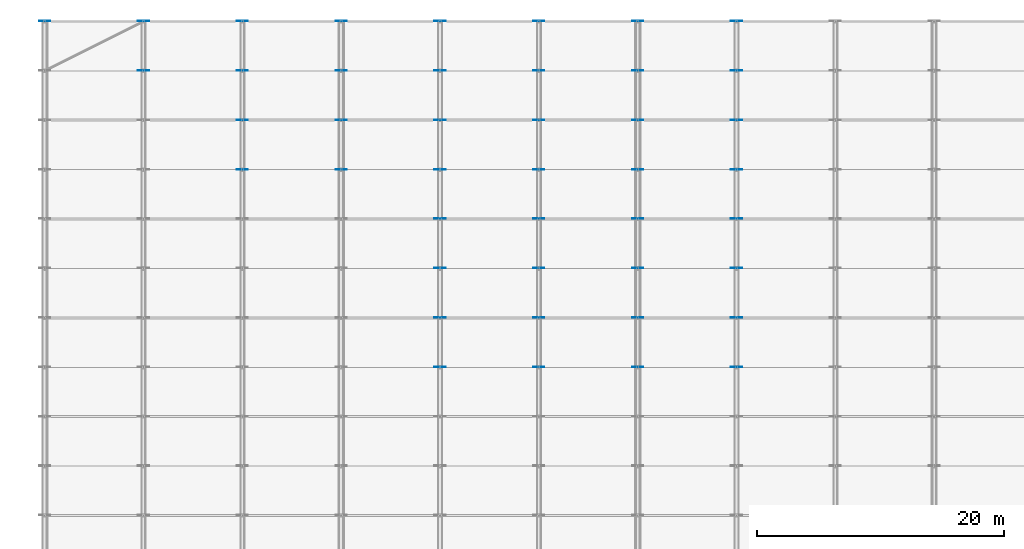
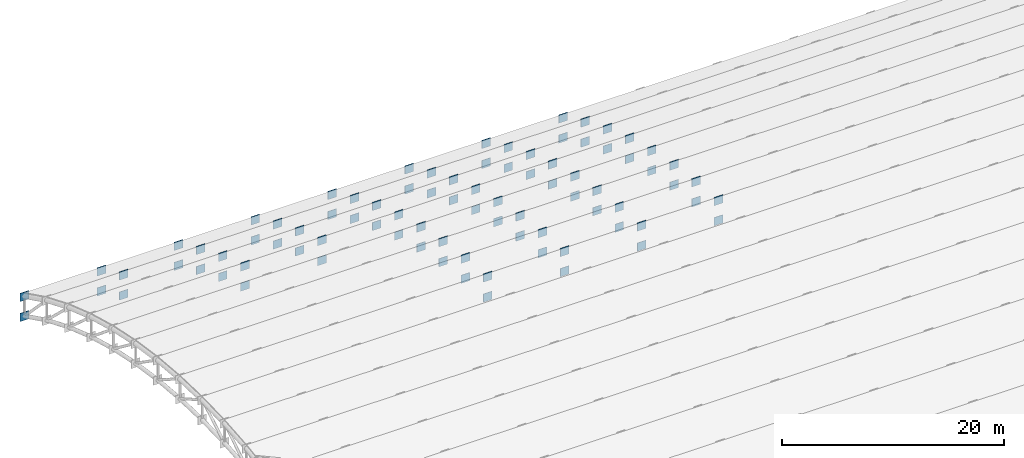
# One storey, part 62 of 98: 86 plates.
"""IFC4 building model written with IfcOpenShell, lengths in metres."""

from ifc_helpers import new_model, si_unit, direction, frame, origin, origin_2d, place, context, subcontext, project, spatial, rectangle, extrude, material, layer, layer_set, type_object, element, save


model = new_model("IFC4")

# Units and contexts
model_context = context("Model", 3, precision=1e-05, world=origin(), true_north=direction((0.0, 1.0)))
body_context = subcontext(model_context, "Body", "Model", "MODEL_VIEW")
ifc_project = project(units=[si_unit("LENGTHUNIT", "METRE"), si_unit("AREAUNIT", "SQUARE_METRE"), si_unit("VOLUMEUNIT", "CUBIC_METRE"), si_unit("PLANEANGLEUNIT", "RADIAN"), si_unit("MASSUNIT", "GRAM", prefix="KILO")], contexts=[model_context])

# Site, building, storey
site_placement = place(None, origin())
site = spatial("IfcSite", under=ifc_project, at=site_placement, CompositionType="ELEMENT")
building_placement = place(site_placement, origin())
building = spatial("IfcBuilding", under=site, at=building_placement, Name="Tlacozan Convention Centre", CompositionType="ELEMENT")
storey_placement = place(building_placement, frame((0.0, 0.0, 25.800048828125)))
storey = spatial("IfcBuildingStorey", under=building, at=storey_placement, Name="Roof", CompositionType="ELEMENT", Elevation=25.800048828125)

# Plates
ifc_material = material(Name="Steel ASTM A572 Grade 50", Category="steel")
ifc_layer = layer(ifc_material, 0.044921875)
ifc_layer_set = layer_set([ifc_layer], Name="Steel ASTM A572 Grade 50")
plate_type = type_object("IfcPlateType", Name="Arch Springing Node Gusset Plate", PredefinedType="SHEET", material=ifc_layer_set)
for number, where, z_axis, x_axis, name in (
    (1, (0.0, 126.023681640625, -11.061767578125), (0.0, 0.0, 1.0), (0.0, 1.0, 0.0), "Roof Gusset Cap Plate 33"),
    (2, (0.0, 126.023681640625, -13.26171875), (0.0, 0.0, 1.0), (0.0, 1.0, 0.0), "Roof Gusset Cap Plate 34"),
    (3, (8.0, 122.0244140625, -9.09228515625), (0.0, 0.0, 1.0), (0.0, 1.0, 0.0), "Roof Gusset Cap Plate 65"),
    (4, (8.0, 122.0244140625, -11.29248046875), (0.0, 0.0, 1.0), (0.0, 1.0, 0.0), "Roof Gusset Cap Plate 66"),
    (5, (8.0, 126.023681640625, -11.061767578125), (0.0, 0.0, 1.0), (0.0, 1.0, 0.0), "Roof Gusset Cap Plate 67"),
    (6, (8.0, 126.023681640625, -13.26171875), (0.0, 0.0, 1.0), (0.0, 1.0, 0.0), "Roof Gusset Cap Plate 68"),
    (7, (16.0, 114.025634765625, -6.064697265625), (0.0, 0.0, 1.0), (0.0, 1.0, 0.0), "Roof Gusset Cap Plate 95"),
    (8, (16.0, 114.025634765625, -8.2646484375), (0.0, 0.0, 1.0), (0.0, 1.0, 0.0), "Roof Gusset Cap Plate 96"),
    (9, (16.0, 118.025146484375, -7.434814453125), (0.0, 0.0, 1.0), (0.0, 1.0, 0.0), "Roof Gusset Cap Plate 97"),
    (10, (16.0, 118.025146484375, -9.634765625), (0.0, 0.0, 1.0), (0.0, 1.0, 0.0), "Roof Gusset Cap Plate 98"),
    (11, (16.0, 122.0244140625, -9.09228515625), (0.0, 0.0, 1.0), (0.0, 1.0, 0.0), "Roof Gusset Cap Plate 99"),
    (12, (16.0, 122.0244140625, -11.29248046875), (0.0, 0.0, 1.0), (0.0, 1.0, 0.0), "Roof Gusset Cap Plate 100"),
    (13, (16.0, 126.023681640625, -11.061767578125), (0.0, 0.0, 1.0), (0.0, 1.0, 0.0), "Roof Gusset Cap Plate 101"),
    (14, (16.0, 126.023681640625, -13.26171875), (0.0, 0.0, 1.0), (0.0, 1.0, 0.0), "Roof Gusset Cap Plate 102"),
    (15, (24.0, 114.025634765625, -6.064697265625), (0.0, 0.0, 1.0), (0.0, 1.0, 0.0), "Roof Gusset Cap Plate 129"),
    (16, (24.0, 114.025634765625, -8.2646484375), (0.0, 0.0, 1.0), (0.0, 1.0, 0.0), "Roof Gusset Cap Plate 130"),
    (17, (24.0, 118.025146484375, -7.434814453125), (0.0, 0.0, 1.0), (0.0, 1.0, 0.0), "Roof Gusset Cap Plate 131"),
    (18, (24.0, 118.025146484375, -9.634765625), (0.0, 0.0, 1.0), (0.0, 1.0, 0.0), "Roof Gusset Cap Plate 132"),
    (19, (24.0, 122.0244140625, -9.09228515625), (0.0, 0.0, 1.0), (0.0, 1.0, 0.0), "Roof Gusset Cap Plate 133"),
    (20, (24.0, 122.0244140625, -11.29248046875), (0.0, 0.0, 1.0), (0.0, 1.0, 0.0), "Roof Gusset Cap Plate 134"),
    (21, (24.0, 126.023681640625, -11.061767578125), (0.0, 0.0, 1.0), (0.0, 1.0, 0.0), "Roof Gusset Cap Plate 135"),
    (22, (24.0, 126.023681640625, -13.26171875), (0.0, 0.0, 1.0), (0.0, 1.0, 0.0), "Roof Gusset Cap Plate 136"),
    (23, (32.0, 98.026611328125, -3.16845703125), (0.0, 0.0, 1.0), (0.0, 1.0, 0.0), "Roof Gusset Cap Plate 155"),
    (24, (32.0, 98.026611328125, -5.368408203125), (0.0, 0.0, 1.0), (0.0, 1.0, 0.0), "Roof Gusset Cap Plate 156"),
    (25, (32.0, 102.0263671875, -3.5244140625), (0.0, 0.0, 1.0), (0.0, 1.0, 0.0), "Roof Gusset Cap Plate 157"),
    (26, (32.0, 102.0263671875, -5.724609375), (0.0, 0.0, 1.0), (0.0, 1.0, 0.0), "Roof Gusset Cap Plate 158"),
    (27, (32.0, 106.026123046875, -4.12109375), (0.0, 0.0, 1.0), (0.0, 1.0, 0.0), "Roof Gusset Cap Plate 159"),
    (28, (32.0, 106.026123046875, -6.321044921875), (0.0, 0.0, 1.0), (0.0, 1.0, 0.0), "Roof Gusset Cap Plate 160"),
    (29, (32.0, 110.02587890625, -4.964599609375), (0.0, 0.0, 1.0), (0.0, 1.0, 0.0), "Roof Gusset Cap Plate 161"),
    (30, (32.0, 110.02587890625, -7.164794921875), (0.0, 0.0, 1.0), (0.0, 1.0, 0.0), "Roof Gusset Cap Plate 162"),
    (31, (32.0, 114.025634765625, -6.064697265625), (0.0, 0.0, 1.0), (0.0, 1.0, 0.0), "Roof Gusset Cap Plate 163"),
    (32, (32.0, 114.025634765625, -8.2646484375), (0.0, 0.0, 1.0), (0.0, 1.0, 0.0), "Roof Gusset Cap Plate 164"),
    (33, (32.0, 118.025146484375, -7.434814453125), (0.0, 0.0, 1.0), (0.0, 1.0, 0.0), "Roof Gusset Cap Plate 165"),
    (34, (32.0, 118.025146484375, -9.634765625), (0.0, 0.0, 1.0), (0.0, 1.0, 0.0), "Roof Gusset Cap Plate 166"),
    (35, (32.0, 122.0244140625, -9.09228515625), (0.0, 0.0, 1.0), (0.0, 1.0, 0.0), "Roof Gusset Cap Plate 167"),
    (36, (32.0, 122.0244140625, -11.29248046875), (0.0, 0.0, 1.0), (0.0, 1.0, 0.0), "Roof Gusset Cap Plate 168"),
    (37, (32.0, 126.023681640625, -11.061767578125), (0.0, 0.0, 1.0), (0.0, 1.0, 0.0), "Roof Gusset Cap Plate 169"),
    (38, (32.0, 126.023681640625, -13.26171875), (0.0, 0.0, 1.0), (0.0, 1.0, 0.0), "Roof Gusset Cap Plate 170"),
    (39, (40.0, 98.026611328125, -3.16845703125), (0.0, 0.0, 1.0), (0.0, 1.0, 0.0), "Roof Gusset Cap Plate 189"),
    (40, (40.0, 98.026611328125, -5.368408203125), (0.0, 0.0, 1.0), (0.0, 1.0, 0.0), "Roof Gusset Cap Plate 190"),
    (41, (40.0, 102.0263671875, -3.5244140625), (0.0, 0.0, 1.0), (0.0, 1.0, 0.0), "Roof Gusset Cap Plate 191"),
    (42, (40.0, 102.0263671875, -5.724609375), (0.0, 0.0, 1.0), (0.0, 1.0, 0.0), "Roof Gusset Cap Plate 192"),
    (43, (40.0, 106.026123046875, -4.12109375), (0.0, 0.0, 1.0), (0.0, 1.0, 0.0), "Roof Gusset Cap Plate 193"),
    (44, (40.0, 106.026123046875, -6.321044921875), (0.0, 0.0, 1.0), (0.0, 1.0, 0.0), "Roof Gusset Cap Plate 194"),
    (45, (40.0, 110.02587890625, -4.964599609375), (0.0, 0.0, 1.0), (0.0, 1.0, 0.0), "Roof Gusset Cap Plate 195"),
    (46, (40.0, 110.02587890625, -7.164794921875), (0.0, 0.0, 1.0), (0.0, 1.0, 0.0), "Roof Gusset Cap Plate 196"),
    (47, (40.0, 114.025634765625, -6.064697265625), (0.0, 0.0, 1.0), (0.0, 1.0, 0.0), "Roof Gusset Cap Plate 197"),
    (48, (40.0, 114.025634765625, -8.2646484375), (0.0, 0.0, 1.0), (0.0, 1.0, 0.0), "Roof Gusset Cap Plate 198"),
    (49, (40.0, 118.025146484375, -7.434814453125), (0.0, 0.0, 1.0), (0.0, 1.0, 0.0), "Roof Gusset Cap Plate 199"),
    (50, (40.0, 118.025146484375, -9.634765625), (0.0, 0.0, 1.0), (0.0, 1.0, 0.0), "Roof Gusset Cap Plate 200"),
    (51, (40.0, 122.0244140625, -9.09228515625), (0.0, 0.0, 1.0), (0.0, 1.0, 0.0), "Roof Gusset Cap Plate 201"),
    (52, (40.0, 122.0244140625, -11.29248046875), (0.0, 0.0, 1.0), (0.0, 1.0, 0.0), "Roof Gusset Cap Plate 202"),
    (53, (40.0, 126.023681640625, -11.061767578125), (0.0, 0.0, 1.0), (0.0, 1.0, 0.0), "Roof Gusset Cap Plate 203"),
    (54, (40.0, 126.023681640625, -13.26171875), (0.0, 0.0, 1.0), (0.0, 1.0, 0.0), "Roof Gusset Cap Plate 204"),
    (55, (48.0, 98.026611328125, -3.16845703125), (0.0, 0.0, 1.0), (0.0, 1.0, 0.0), "Roof Gusset Cap Plate 223"),
    (56, (48.0, 98.026611328125, -5.368408203125), (0.0, 0.0, 1.0), (0.0, 1.0, 0.0), "Roof Gusset Cap Plate 224"),
    (57, (48.0, 102.0263671875, -3.5244140625), (0.0, 0.0, 1.0), (0.0, 1.0, 0.0), "Roof Gusset Cap Plate 225"),
    (58, (48.0, 102.0263671875, -5.724609375), (0.0, 0.0, 1.0), (0.0, 1.0, 0.0), "Roof Gusset Cap Plate 226"),
    (59, (48.0, 106.026123046875, -4.12109375), (0.0, 0.0, 1.0), (0.0, 1.0, 0.0), "Roof Gusset Cap Plate 227"),
    (60, (48.0, 106.026123046875, -6.321044921875), (0.0, 0.0, 1.0), (0.0, 1.0, 0.0), "Roof Gusset Cap Plate 228"),
    (61, (48.0, 110.02587890625, -4.964599609375), (0.0, 0.0, 1.0), (0.0, 1.0, 0.0), "Roof Gusset Cap Plate 229"),
    (62, (48.0, 110.02587890625, -7.164794921875), (0.0, 0.0, 1.0), (0.0, 1.0, 0.0), "Roof Gusset Cap Plate 230"),
    (63, (48.0, 114.025634765625, -6.064697265625), (0.0, 0.0, 1.0), (0.0, 1.0, 0.0), "Roof Gusset Cap Plate 231"),
    (64, (48.0, 114.025634765625, -8.2646484375), (0.0, 0.0, 1.0), (0.0, 1.0, 0.0), "Roof Gusset Cap Plate 232"),
    (65, (48.0, 118.025146484375, -7.434814453125), (0.0, 0.0, 1.0), (0.0, 1.0, 0.0), "Roof Gusset Cap Plate 233"),
    (66, (48.0, 118.025146484375, -9.634765625), (0.0, 0.0, 1.0), (0.0, 1.0, 0.0), "Roof Gusset Cap Plate 234"),
    (67, (48.0, 122.0244140625, -9.09228515625), (0.0, 0.0, 1.0), (0.0, 1.0, 0.0), "Roof Gusset Cap Plate 235"),
    (68, (48.0, 122.0244140625, -11.29248046875), (0.0, 0.0, 1.0), (0.0, 1.0, 0.0), "Roof Gusset Cap Plate 236"),
    (69, (48.0, 126.023681640625, -11.061767578125), (0.0, 0.0, 1.0), (0.0, 1.0, 0.0), "Roof Gusset Cap Plate 237"),
    (70, (48.0, 126.023681640625, -13.26171875), (0.0, 0.0, 1.0), (0.0, 1.0, 0.0), "Roof Gusset Cap Plate 238"),
    (71, (56.0, 98.026611328125, -3.16845703125), (0.0, 0.0, 1.0), (0.0, 1.0, 0.0), "Roof Gusset Cap Plate 257"),
    (72, (56.0, 98.026611328125, -5.368408203125), (0.0, 0.0, 1.0), (0.0, 1.0, 0.0), "Roof Gusset Cap Plate 258"),
    (73, (56.0, 102.0263671875, -3.5244140625), (0.0, 0.0, 1.0), (0.0, 1.0, 0.0), "Roof Gusset Cap Plate 259"),
    (74, (56.0, 102.0263671875, -5.724609375), (0.0, 0.0, 1.0), (0.0, 1.0, 0.0), "Roof Gusset Cap Plate 260"),
    (75, (56.0, 106.026123046875, -4.12109375), (0.0, 0.0, 1.0), (0.0, 1.0, 0.0), "Roof Gusset Cap Plate 261"),
    (76, (56.0, 106.026123046875, -6.321044921875), (0.0, 0.0, 1.0), (0.0, 1.0, 0.0), "Roof Gusset Cap Plate 262"),
    (77, (56.0, 110.02587890625, -4.964599609375), (0.0, 0.0, 1.0), (0.0, 1.0, 0.0), "Roof Gusset Cap Plate 263"),
    (78, (56.0, 110.02587890625, -7.164794921875), (0.0, 0.0, 1.0), (0.0, 1.0, 0.0), "Roof Gusset Cap Plate 264"),
    (79, (56.0, 114.025634765625, -6.064697265625), (0.0, 0.0, 1.0), (0.0, 1.0, 0.0), "Roof Gusset Cap Plate 265"),
    (80, (56.0, 114.025634765625, -8.2646484375), (0.0, 0.0, 1.0), (0.0, 1.0, 0.0), "Roof Gusset Cap Plate 266"),
    (81, (56.0, 118.025146484375, -7.434814453125), (0.0, 0.0, 1.0), (0.0, 1.0, 0.0), "Roof Gusset Cap Plate 267"),
    (82, (56.0, 118.025146484375, -9.634765625), (0.0, 0.0, 1.0), (0.0, 1.0, 0.0), "Roof Gusset Cap Plate 268"),
    (83, (56.0, 122.0244140625, -9.09228515625), (0.0, 0.0, 1.0), (0.0, 1.0, 0.0), "Roof Gusset Cap Plate 269"),
    (84, (56.0, 122.0244140625, -11.29248046875), (0.0, 0.0, 1.0), (0.0, 1.0, 0.0), "Roof Gusset Cap Plate 270"),
    (85, (56.0, 126.023681640625, -11.061767578125), (0.0, 0.0, 1.0), (0.0, 1.0, 0.0), "Roof Gusset Cap Plate 271"),
    (86, (56.0, 126.023681640625, -13.26171875), (0.0, 0.0, 1.0), (0.0, 1.0, 0.0), "Roof Gusset Cap Plate 272"),
):
    element("IfcPlate", number, at=place(storey_placement, frame(where, z_axis=z_axis, x_axis=x_axis)), inside=storey, type_object=plate_type, Name=name, PredefinedType="SHEET", context=body_context, shape_type="SweptSolid", body=[
        extrude(rectangle(XDim=0.044921875, YDim=0.89990234375, at=origin_2d()), origin(), (0.0, 0.0, 1.0), 0.89990234375),
    ])

save(model, "model.ifc")
